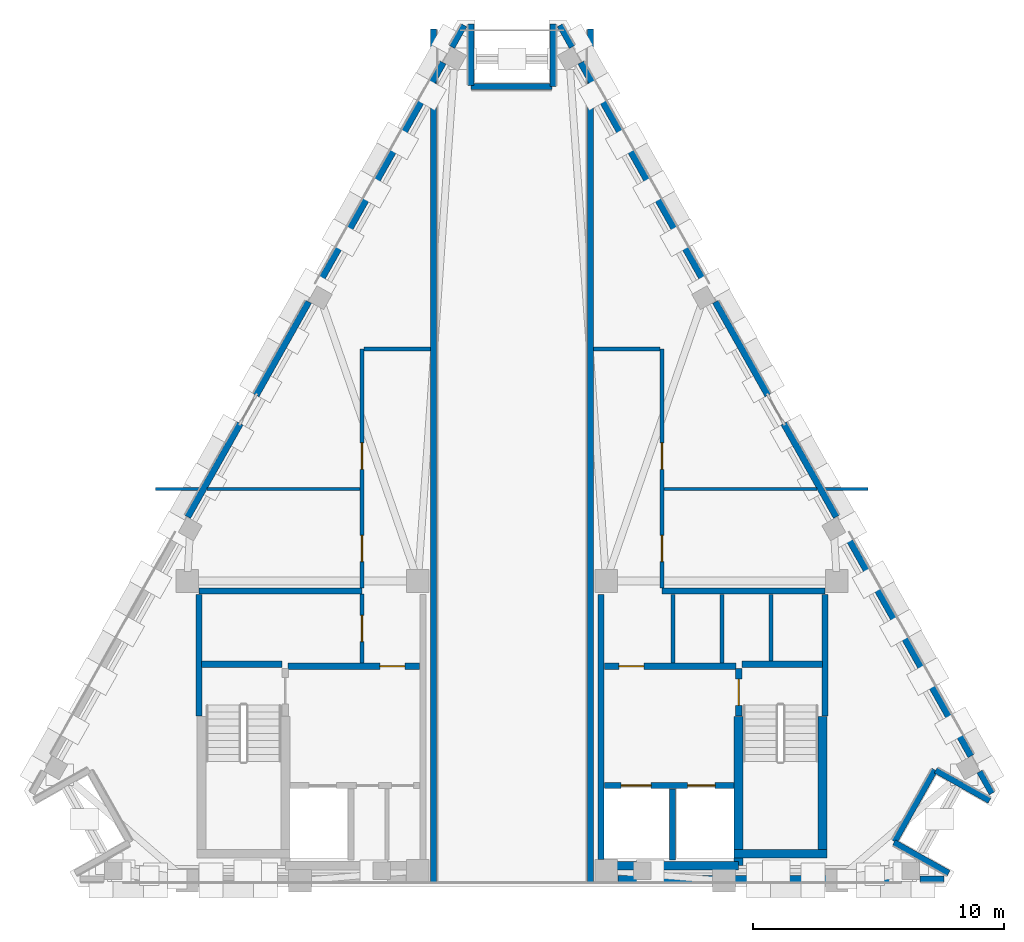
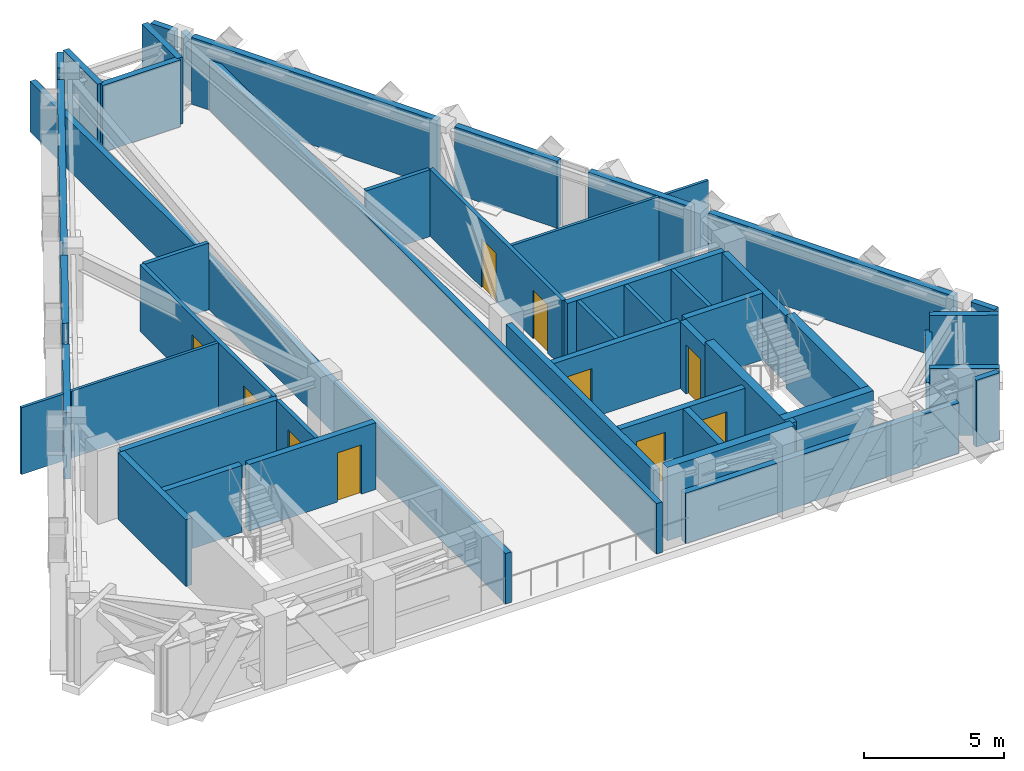
# One storey, part 4 of 7: 48 walls, 10 doors, 10 openings.
"""IFC4 building model written with IfcOpenShell, lengths in metres."""

from ifc_helpers import new_model, si_unit, direction, frame, frame_2d, origin, place, context, subcontext, project, spatial, rectangle, extrude, material, layer, layer_set, type_object, element, fill, save


model = new_model("IFC4")

# Units and contexts
model_context = context("Model", 3, precision=1e-05, world=origin(), true_north=direction((0.0, 1.0)))
body_context = subcontext(model_context, "Body", "Model", "MODEL_VIEW")
ifc_project = project(units=[si_unit("LENGTHUNIT", "METRE"), si_unit("AREAUNIT", "SQUARE_METRE"), si_unit("VOLUMEUNIT", "CUBIC_METRE"), si_unit("PLANEANGLEUNIT", "RADIAN"), si_unit("MASSUNIT", "GRAM", prefix="KILO")], contexts=[model_context])

# Site, building, storey
site_placement = place(None, origin())
site = spatial("IfcSite", under=ifc_project, at=site_placement, CompositionType="ELEMENT")
building_placement = place(site_placement, origin())
building = spatial("IfcBuilding", under=site, at=building_placement, Name="Quenlor Broadcast Tower", CompositionType="ELEMENT")
storey_placement = place(building_placement, frame((0.0, 0.0, 270.89990234375)))
storey = spatial("IfcBuildingStorey", under=building, at=storey_placement, Name="L75", CompositionType="ELEMENT", Elevation=270.89990234375)

# Walls
ifc_material_1 = material(Name="Concrete C50/60", Category="concrete")
ifc_layer_1 = layer(ifc_material_1, 0.35009765625)
ifc_layer_set_1 = layer_set([ifc_layer_1], Name="Core Concrete C50/60 Shear Wall 350")
wall_type_1 = type_object("IfcWallType", Name="Core Concrete C50/60 Shear Wall 350", PredefinedType="SHEAR", material=ifc_layer_set_1)
wall_1_placement = place(storey_placement, frame((3.75, -16.14990234375, 0.0), z_axis=(0.0, 0.0, 1.0), x_axis=(1.0, 0.0, 0.0)))
element("IfcWall", 1, at=wall_1_placement, inside=storey, type_object=wall_type_1, Name="L75 Core Shear Wall WS-E1", PredefinedType="SHEAR", context=body_context, shape_type="SweptSolid", body=[
    extrude(rectangle(XDim=5.27490234375, YDim=0.35009765625, at=frame_2d((2.637451171875, 0.0))), origin(), (0.0, 0.0, 1.0), 3.2001953125),
])
wall_2_placement = place(storey_placement, frame((8.85009765625, -15.675048828125, 0.0), z_axis=(0.0, 0.0, 1.0), x_axis=(1.0, 0.0, 0.0)))
element("IfcWall", 2, at=wall_2_placement, inside=storey, type_object=wall_type_1, Name="L75 Core Shear Wall WS-E2", PredefinedType="SHEAR", context=body_context, shape_type="SweptSolid", body=[
    extrude(rectangle(XDim=3.699951171875, YDim=0.35009765625, at=frame_2d((1.85009765625, 0.0))), origin(), (0.0, 0.0, 1.0), 3.2001953125),
])
wall_3_placement = place(storey_placement, frame((12.375, -15.675048828125, 0.0), z_axis=(0.0, 0.0, 1.0), x_axis=(0.0, 1.0, 0.0)))
element("IfcWall", 3, at=wall_3_placement, inside=storey, type_object=wall_type_1, Name="L75 Core Shear Wall WF-E", PredefinedType="SHEAR", context=body_context, shape_type="SweptSolid", body=[
    extrude(rectangle(XDim=5.47509765625, YDim=0.35009765625, at=frame_2d((2.737548828125, 0.0))), origin(), (0.0, 0.0, 1.0), 3.2001953125),
])
wall_4_placement = place(storey_placement, frame((9.02490234375, -16.14990234375, 0.0), z_axis=(0.0, 0.0, 1.0), x_axis=(0.0, 1.0, 0.0)))
element("IfcWall", 4, at=wall_4_placement, inside=storey, type_object=wall_type_1, Name="L75 Core Shear Wall WI-E", PredefinedType="SHEAR", context=body_context, shape_type="SweptSolid", body=[
    extrude(rectangle(XDim=5.949951171875, YDim=0.35009765625, at=frame_2d((2.97509765625, 0.0))), origin(), (0.0, 0.0, 1.0), 3.2001953125),
])

# Wall, opening, door
ifc_material_2 = material(Name="Concrete C40/50", Category="concrete")
ifc_layer_2 = layer(ifc_material_2, 0.25)
ifc_layer_set_2 = layer_set([ifc_layer_2], Name="Fire Rated Concrete C40/50 Core Wall 250")
wall_type_2 = type_object("IfcWallType", Name="Fire Rated Concrete C40/50 Core Wall 250", PredefinedType="PARTITIONING", material=ifc_layer_set_2)
wall_5_placement = place(storey_placement, frame((9.0400390625, -10.179931640625, 0.0), z_axis=(0.0, 0.0, 1.0), x_axis=(0.0, 1.0, 0.0)))
wall_5 = element("IfcWall", 5, at=wall_5_placement, inside=storey, type_object=wall_type_2, Name="L75 Interior Wall CW-ST2-DR", PredefinedType="PARTITIONING", context=body_context, shape_type="SweptSolid", body=[
    extrude(rectangle(XDim=1.89990234375, YDim=0.25, at=frame_2d((0.949951171875, 0.0))), origin(), (0.0, 0.0, 1.0), 2.920166015625),
])
opening_1_placement = place(wall_5_placement, frame((0.419921875, 0.0, 0.0)))
opening_1 = element("IfcOpeningElement", 6, at=opening_1_placement, cuts=wall_5, Name="Opening FD-1", PredefinedType="OPENING", context=body_context, shape_type="SweptSolid", body=[
    extrude(rectangle(XDim=1.050048828125, YDim=2.14990234375, at=frame_2d((0.52490234375, 1.074951171875))), frame((0.0, 0.135009765625, 0.0), z_axis=(0.0, -1.0, 0.0), x_axis=(1.0, 0.0, 0.0)), (0.0, 0.0, 1.0), 0.27001953125),
])
ifc_material_3 = material(Name="Fire Rated Steel Door Leaf", Category="steel")
door_type_1 = type_object("IfcDoorType", Name="Fire Isolated Stair Door 1050x2150", OperationType="NOTDEFINED", PredefinedType="DOOR", material=ifc_material_3)
door_1_placement = place(opening_1_placement, origin())
door_1 = element("IfcDoor", 7, at=door_1_placement, inside=storey, type_object=door_type_1, Name="L75 Door DR-ST2", OperationType="SINGLE_SWING_RIGHT", OverallHeight=2.14990234375, OverallWidth=1.050048828125, PredefinedType="DOOR", context=body_context, shape_type="SweptSolid", body=[
    extrude(rectangle(XDim=1.050048828125, YDim=2.14990234375, at=frame_2d((0.52490234375, 1.074951171875))), frame((0.0, 0.02490234375, 0.0), z_axis=(0.0, -1.0, 0.0), x_axis=(1.0, 0.0, 0.0)), (0.0, 0.0, 1.0), 0.050048828125),
])
fill(opening_1, door_1)

# Walls
for number, where, z_axis, x_axis, name in (
    (8, (-12.3798828125, -8.1201171875, 0.0), (0.0, 0.0, 1.0), (1.0, 0.0, 0.0), "L75 Interior Wall CW-ST1-N"),
    (9, (9.159912109375, -8.1201171875, 0.0), (0.0, 0.0, 1.0), (1.0, 0.0, 0.0), "L75 Interior Wall CW-ST2-N"),
):
    element("IfcWall", number, at=place(storey_placement, frame(where, z_axis=z_axis, x_axis=x_axis)), inside=storey, type_object=wall_type_2, Name=name, PredefinedType="PARTITIONING", context=body_context, shape_type="SweptSolid", body=[
        extrude(rectangle(XDim=3.219970703125, YDim=0.25, at=frame_2d((1.60986328125, 0.0))), origin(), (0.0, 0.0, 1.0), 2.920166015625),
    ])
for number, where, z_axis, x_axis, name in (
    (10, (-12.47998046875, -10.179931640625, 0.0), (0.0, 0.0, 1.0), (0.0, 1.0, 0.0), "L75 Interior Wall CW-ST1-W2"),
    (11, (12.47998046875, -10.179931640625, 0.0), (0.0, 0.0, 1.0), (0.0, 1.0, 0.0), "L75 Interior Wall CW-ST2-E2"),
):
    element("IfcWall", number, at=place(storey_placement, frame(where, z_axis=z_axis, x_axis=x_axis)), inside=storey, type_object=wall_type_2, Name=name, PredefinedType="PARTITIONING", context=body_context, shape_type="SweptSolid", body=[
        extrude(rectangle(XDim=4.83984375, YDim=0.25, at=frame_2d((2.419921875, 0.0))), origin(), (0.0, 0.0, 1.0), 2.920166015625),
    ])

# Wall, openings, doors
wall_6_placement = place(storey_placement, frame((3.679931640625, -12.949951171875, 0.0), z_axis=(0.0, 0.0, 1.0), x_axis=(1.0, 0.0, 0.0)))
wall_6 = element("IfcWall", 12, at=wall_6_placement, inside=storey, type_object=wall_type_2, Name="L75 Interior Wall CW-FFE-S", PredefinedType="PARTITIONING", context=body_context, shape_type="SweptSolid", body=[
    extrude(rectangle(XDim=5.16796875, YDim=0.25, at=frame_2d((2.583984375, 0.0))), origin(), (0.0, 0.0, 1.0), 2.920166015625),
])
opening_2_placement = place(wall_6_placement, frame((3.320068359375, 0.0, 0.0)))
opening_2 = element("IfcOpeningElement", 13, at=opening_2_placement, cuts=wall_6, Name="Opening LD-FFL-2", PredefinedType="OPENING", context=body_context, shape_type="SweptSolid", body=[
    extrude(rectangle(XDim=1.10009765625, YDim=2.14990234375, at=frame_2d((0.550048828125, 1.074951171875))), frame((0.0, 0.135009765625, 0.0), z_axis=(0.0, -1.0, 0.0), x_axis=(1.0, 0.0, 0.0)), (0.0, 0.0, 1.0), 0.27001953125),
])
opening_3_placement = place(wall_6_placement, frame((0.669921875, 0.0, 0.0)))
opening_3 = element("IfcOpeningElement", 14, at=opening_3_placement, cuts=wall_6, Name="Opening LD-SVL-1", PredefinedType="OPENING", context=body_context, shape_type="SweptSolid", body=[
    extrude(rectangle(XDim=1.199951171875, YDim=2.14990234375, at=frame_2d((0.60009765625, 1.074951171875))), frame((0.0, 0.135009765625, 0.0), z_axis=(0.0, -1.0, 0.0), x_axis=(1.0, 0.0, 0.0)), (0.0, 0.0, 1.0), 0.27001953125),
])
ifc_material_4 = material(Name="Brushed Stainless Steel", Category="steel")
door_type_2 = type_object("IfcDoorType", Name="Emergency Lift Sliding Landing Door 1100x2150", OperationType="NOTDEFINED", PredefinedType="DOOR", material=ifc_material_4)
door_2_placement = place(opening_2_placement, origin())
door_2 = element("IfcDoor", 15, at=door_2_placement, inside=storey, type_object=door_type_2, Name="L75 Door LD-FFL-2", OperationType="SLIDING_TO_RIGHT", OverallHeight=2.14990234375, OverallWidth=1.10009765625, PredefinedType="DOOR", context=body_context, shape_type="SweptSolid", body=[
    extrude(rectangle(XDim=1.10009765625, YDim=2.14990234375, at=frame_2d((0.550048828125, 1.074951171875))), frame((0.0, 0.02490234375, 0.0), z_axis=(0.0, -1.0, 0.0), x_axis=(1.0, 0.0, 0.0)), (0.0, 0.0, 1.0), 0.050048828125),
])
fill(opening_2, door_2)
ifc_material_5 = material(Name="Brushed Stainless Steel", Category="steel")
door_type_3 = type_object("IfcDoorType", Name="Goods Lift Sliding Landing Door 1200x2150", OperationType="NOTDEFINED", PredefinedType="DOOR", material=ifc_material_5)
door_3_placement = place(opening_3_placement, origin())
door_3 = element("IfcDoor", 16, at=door_3_placement, inside=storey, type_object=door_type_3, Name="L75 Door LD-SVL-1", OperationType="SLIDING_TO_LEFT", OverallHeight=2.14990234375, OverallWidth=1.199951171875, PredefinedType="DOOR", context=body_context, shape_type="SweptSolid", body=[
    extrude(rectangle(XDim=1.199951171875, YDim=2.14990234375, at=frame_2d((0.60009765625, 1.074951171875))), frame((0.0, 0.02490234375, 0.0), z_axis=(0.0, -1.0, 0.0), x_axis=(1.0, 0.0, 0.0)), (0.0, 0.0, 1.0), 0.050048828125),
])
fill(opening_3, door_3)

# Wall
wall_7_placement = place(storey_placement, frame((6.39990234375, -15.919921875, 0.0), z_axis=(0.0, 0.0, 1.0), x_axis=(0.0, 1.0, 0.0)))
element("IfcWall", 17, at=wall_7_placement, inside=storey, type_object=wall_type_2, Name="L75 Interior Wall CW-SV1-E", PredefinedType="PARTITIONING", context=body_context, shape_type="SweptSolid", body=[
    extrude(rectangle(XDim=2.829833984375, YDim=0.25, at=frame_2d((1.4150390625, 0.0))), origin(), (0.0, 0.0, 1.0), 2.920166015625),
])

# Wall, opening, door
wall_8_placement = place(storey_placement, frame((-8.919921875, -8.199951171875, 0.0), z_axis=(0.0, 0.0, 1.0), x_axis=(1.0, 0.0, 0.0)))
wall_8 = element("IfcWall", 18, at=wall_8_placement, inside=storey, type_object=wall_type_2, Name="L75 Interior Wall CW-FFW-N", PredefinedType="PARTITIONING", context=body_context, shape_type="SweptSolid", body=[
    extrude(rectangle(XDim=5.239990234375, YDim=0.25, at=frame_2d((2.6201171875, 0.0))), origin(), (0.0, 0.0, 1.0), 2.920166015625),
])
opening_4_placement = place(wall_8_placement, frame((3.64990234375, 0.0, 0.0)))
opening_4 = element("IfcOpeningElement", 19, at=opening_4_placement, cuts=wall_8, Name="Opening FD-2", PredefinedType="OPENING", context=body_context, shape_type="SweptSolid", body=[
    extrude(rectangle(XDim=1.0, YDim=2.14990234375, at=frame_2d((0.5, 1.074951171875))), frame((0.0, 0.135009765625, 0.0), z_axis=(0.0, -1.0, 0.0), x_axis=(1.0, 0.0, 0.0)), (0.0, 0.0, 1.0), 0.27001953125),
])
ifc_material_6 = material(Name="Fire Rated Glazed Steel Door", Category="steel")
door_type_4 = type_object("IfcDoorType", Name="Firefighting Lobby Smoke Door 1000x2150", OperationType="NOTDEFINED", PredefinedType="DOOR", material=ifc_material_6)
door_4_placement = place(opening_4_placement, origin())
door_4 = element("IfcDoor", 20, at=door_4_placement, inside=storey, type_object=door_type_4, Name="L75 Door DR-FFLW", OperationType="SINGLE_SWING_LEFT", OverallHeight=2.14990234375, OverallWidth=1.0, PredefinedType="DOOR", context=body_context, shape_type="SweptSolid", body=[
    extrude(rectangle(XDim=1.0, YDim=2.14990234375, at=frame_2d((0.5, 1.074951171875))), frame((0.0, 0.02490234375, 0.0), z_axis=(0.0, -1.0, 0.0), x_axis=(1.0, 0.0, 0.0)), (0.0, 0.0, 1.0), 0.050048828125),
])
fill(opening_4, door_4)

wall_9_placement = place(storey_placement, frame((3.679931640625, -8.199951171875, 0.0), z_axis=(0.0, 0.0, 1.0), x_axis=(1.0, 0.0, 0.0)))
wall_9 = element("IfcWall", 21, at=wall_9_placement, inside=storey, type_object=wall_type_2, Name="L75 Interior Wall CW-FFE-N", PredefinedType="PARTITIONING", context=body_context, shape_type="SweptSolid", body=[
    extrude(rectangle(XDim=5.239990234375, YDim=0.25, at=frame_2d((2.6201171875, 0.0))), origin(), (0.0, 0.0, 1.0), 2.920166015625),
])
opening_5_placement = place(wall_9_placement, frame((0.580078125, 0.0, 0.0)))
opening_5 = element("IfcOpeningElement", 22, at=opening_5_placement, cuts=wall_9, Name="Opening FD-2", PredefinedType="OPENING", context=body_context, shape_type="SweptSolid", body=[
    extrude(rectangle(XDim=1.0, YDim=2.14990234375, at=frame_2d((0.5, 1.074951171875))), frame((0.0, 0.135009765625, 0.0), z_axis=(0.0, -1.0, 0.0), x_axis=(1.0, 0.0, 0.0)), (0.0, 0.0, 1.0), 0.27001953125),
])
door_5_placement = place(opening_5_placement, origin())
door_5 = element("IfcDoor", 23, at=door_5_placement, inside=storey, type_object=door_type_4, Name="L75 Door DR-FFLE", OperationType="SINGLE_SWING_RIGHT", OverallHeight=2.14990234375, OverallWidth=1.0, PredefinedType="DOOR", context=body_context, shape_type="SweptSolid", body=[
    extrude(rectangle(XDim=1.0, YDim=2.14990234375, at=frame_2d((0.5, 1.074951171875))), frame((0.0, 0.02490234375, 0.0), z_axis=(0.0, -1.0, 0.0), x_axis=(1.0, 0.0, 0.0)), (0.0, 0.0, 1.0), 0.050048828125),
])
fill(opening_5, door_5)

# Walls
wall_10_placement = place(storey_placement, frame((3.550048828125, -15.89794921875, 0.0), z_axis=(0.0, 0.0, 1.0), x_axis=(0.0, 1.0, 0.0)))
element("IfcWall", 24, at=wall_10_placement, inside=storey, type_object=wall_type_2, Name="L75 Interior Wall CW-FFE-W", PredefinedType="PARTITIONING", context=body_context, shape_type="SweptSolid", body=[
    extrude(rectangle(XDim=10.557861328125, YDim=0.25, at=frame_2d((5.27880859375, 0.0))), origin(), (0.0, 0.0, 1.0), 2.920166015625),
])
for number, where, z_axis, x_axis, name in (
    (25, (-12.47998046875, -5.199951171875, 0.0), (0.0, 0.0, 1.0), (1.0, 0.0, 0.0), "L75 Interior Wall CW-N-W"),
    (26, (5.97998046875, -5.199951171875, 0.0), (0.0, 0.0, 1.0), (1.0, 0.0, 0.0), "L75 Interior Wall CW-N-E"),
):
    element("IfcWall", number, at=place(storey_placement, frame(where, z_axis=z_axis, x_axis=x_axis)), inside=storey, type_object=wall_type_2, Name=name, PredefinedType="PARTITIONING", context=body_context, shape_type="SweptSolid", body=[
        extrude(rectangle(XDim=6.5, YDim=0.25, at=frame_2d((3.25, 0.0))), origin(), (0.0, 0.0, 1.0), 2.920166015625),
    ])

# Wall, opening, door
ifc_material_7 = material(Name="Gypsum Fireboard Partition", Category="other")
ifc_layer_3 = layer(ifc_material_7, 0.159912109375)
ifc_layer_set_3 = layer_set([ifc_layer_3], Name="Fire Rated Shaft and Corridor Partition 160")
wall_type_3 = type_object("IfcWallType", Name="Fire Rated Shaft and Corridor Partition 160", PredefinedType="PARTITIONING", material=ifc_layer_set_3)
wall_11_placement = place(storey_placement, frame((-5.97998046875, -8.072998046875, 0.0), z_axis=(0.0, 0.0, 1.0), x_axis=(0.0, 1.0, 0.0)))
wall_11 = element("IfcWall", 27, at=wall_11_placement, inside=storey, type_object=wall_type_3, Name="L75 Interior Wall CW-CRNEQW-E", PredefinedType="PARTITIONING", context=body_context, shape_type="SweptSolid", body=[
    extrude(rectangle(XDim=2.74609375, YDim=0.159912109375, at=frame_2d((1.373046875, 0.0))), origin(), (0.0, 0.0, 1.0), 2.920166015625),
])
opening_6_placement = place(wall_11_placement, frame((0.85302734375, 0.0, 0.0)))
opening_6 = element("IfcOpeningElement", 28, at=opening_6_placement, cuts=wall_11, Name="Opening FD-3", PredefinedType="OPENING", context=body_context, shape_type="SweptSolid", body=[
    extrude(rectangle(XDim=1.050048828125, YDim=2.1201171875, at=frame_2d((0.52490234375, 1.06005859375))), frame((0.0, 0.08984375, 0.0), z_axis=(0.0, -1.0, 0.0), x_axis=(1.0, 0.0, 0.0)), (0.0, 0.0, 1.0), 0.179931640625),
])
ifc_material_8 = material(Name="Galvanised Fire Steel Leaf", Category="steel")
door_type_5 = type_object("IfcDoorType", Name="Plant Room Fire Rated Door 1050x2120", OperationType="NOTDEFINED", PredefinedType="DOOR", material=ifc_material_8)
door_6_placement = place(opening_6_placement, origin())
door_6 = element("IfcDoor", 29, at=door_6_placement, inside=storey, type_object=door_type_5, Name="L75 Door DR-CRNEQW", OperationType="SINGLE_SWING_RIGHT", OverallHeight=2.1201171875, OverallWidth=1.050048828125, PredefinedType="DOOR", context=body_context, shape_type="SweptSolid", body=[
    extrude(rectangle(XDim=1.050048828125, YDim=2.1201171875, at=frame_2d((0.52490234375, 1.06005859375))), frame((0.0, 0.02490234375, 0.0), z_axis=(0.0, -1.0, 0.0), x_axis=(1.0, 0.0, 0.0)), (0.0, 0.0, 1.0), 0.050048828125),
])
fill(opening_6, door_6)

# Walls
for number, where, z_axis, x_axis, name in (
    (30, (6.425048828125, -8.072998046875, 0.0), (0.0, 0.0, 1.0), (0.0, 1.0, 0.0), "L75 Interior Wall CW-PLH-D1"),
    (31, (8.375, -8.072998046875, 0.0), (0.0, 0.0, 1.0), (0.0, 1.0, 0.0), "L75 Interior Wall CW-PLH-D2"),
):
    element("IfcWall", number, at=place(storey_placement, frame(where, z_axis=z_axis, x_axis=x_axis)), inside=storey, type_object=wall_type_3, Name=name, PredefinedType="PARTITIONING", context=body_context, shape_type="SweptSolid", body=[
        extrude(rectangle(XDim=2.73291015625, YDim=0.159912109375, at=frame_2d((1.366455078125, 0.0))), origin(), (0.0, 0.0, 1.0), 2.920166015625),
    ])
wall_12_placement = place(storey_placement, frame((10.324951171875, -7.992919921875, 0.0), z_axis=(0.0, 0.0, 1.0), x_axis=(0.0, 1.0, 0.0)))
element("IfcWall", 32, at=wall_12_placement, inside=storey, type_object=wall_type_3, Name="L75 Interior Wall CW-PLH-D3", PredefinedType="PARTITIONING", context=body_context, shape_type="SweptSolid", body=[
    extrude(rectangle(XDim=2.65283203125, YDim=0.159912109375, at=frame_2d((1.326416015625, 0.0))), origin(), (0.0, 0.0, 1.0), 2.920166015625),
])

# Wall, openings, doors
wall_13_placement = place(storey_placement, frame((-5.97998046875, -5.072998046875, 0.0), z_axis=(0.0, 0.0, 1.0), x_axis=(0.0, 1.0, 0.0)))
wall_13 = element("IfcWall", 33, at=wall_13_placement, inside=storey, type_object=wall_type_3, Name="L75 Interior Wall PW-WP-WCW", PredefinedType="PARTITIONING", context=body_context, shape_type="SweptSolid", body=[
    extrude(rectangle(XDim=9.52294921875, YDim=0.159912109375, at=frame_2d((4.761474609375, 0.0))), origin(), (0.0, 0.0, 1.0), 2.920166015625),
])
opening_7_placement = place(wall_13_placement, frame((1.04296875, 0.0, 0.0)))
opening_7 = element("IfcOpeningElement", 34, at=opening_7_placement, cuts=wall_13, Name="Opening FD-3", PredefinedType="OPENING", context=body_context, shape_type="SweptSolid", body=[
    extrude(rectangle(XDim=1.050048828125, YDim=2.1201171875, at=frame_2d((0.52490234375, 1.06005859375))), frame((0.0, 0.08984375, 0.0), z_axis=(0.0, -1.0, 0.0), x_axis=(1.0, 0.0, 0.0)), (0.0, 0.0, 1.0), 0.179931640625),
])
opening_8_placement = place(wall_13_placement, frame((4.722900390625, 0.0, 0.0)))
opening_8 = element("IfcOpeningElement", 35, at=opening_8_placement, cuts=wall_13, Name="Opening FD-3", PredefinedType="OPENING", context=body_context, shape_type="SweptSolid", body=[
    extrude(rectangle(XDim=1.050048828125, YDim=2.1201171875, at=frame_2d((0.52490234375, 1.06005859375))), frame((0.0, 0.08984375, 0.0), z_axis=(0.0, -1.0, 0.0), x_axis=(1.0, 0.0, 0.0)), (0.0, 0.0, 1.0), 0.179931640625),
])
door_7_placement = place(opening_7_placement, origin())
door_7 = element("IfcDoor", 36, at=door_7_placement, inside=storey, type_object=door_type_5, Name="L75 Door DR-WP1", OperationType="SINGLE_SWING_LEFT", OverallHeight=2.1201171875, OverallWidth=1.050048828125, PredefinedType="DOOR", context=body_context, shape_type="SweptSolid", body=[
    extrude(rectangle(XDim=1.050048828125, YDim=2.1201171875, at=frame_2d((0.52490234375, 1.06005859375))), frame((0.0, 0.02490234375, 0.0), z_axis=(0.0, -1.0, 0.0), x_axis=(1.0, 0.0, 0.0)), (0.0, 0.0, 1.0), 0.050048828125),
])
fill(opening_7, door_7)
door_8_placement = place(opening_8_placement, origin())
door_8 = element("IfcDoor", 37, at=door_8_placement, inside=storey, type_object=door_type_5, Name="L75 Door DR-WP3", OperationType="SINGLE_SWING_LEFT", OverallHeight=2.1201171875, OverallWidth=1.050048828125, PredefinedType="DOOR", context=body_context, shape_type="SweptSolid", body=[
    extrude(rectangle(XDim=1.050048828125, YDim=2.1201171875, at=frame_2d((0.52490234375, 1.06005859375))), frame((0.0, 0.02490234375, 0.0), z_axis=(0.0, -1.0, 0.0), x_axis=(1.0, 0.0, 0.0)), (0.0, 0.0, 1.0), 0.050048828125),
])
fill(opening_8, door_8)

# Wall
wall_14_placement = place(storey_placement, frame((-5.89794921875, 4.449951171875, 0.0), z_axis=(0.0, 0.0, 1.0), x_axis=(1.0, 0.0, 0.0)))
element("IfcWall", 38, at=wall_14_placement, inside=storey, type_object=wall_type_3, Name="L75 Interior Wall PW-WP-WCN", PredefinedType="PARTITIONING", context=body_context, shape_type="SweptSolid", body=[
    extrude(rectangle(XDim=2.64794921875, YDim=0.159912109375, at=frame_2d((1.323974609375, 0.0))), origin(), (0.0, 0.0, 1.0), 2.920166015625),
])

# Wall, openings, doors
wall_15_placement = place(storey_placement, frame((5.97998046875, -5.072998046875, 0.0), z_axis=(0.0, 0.0, 1.0), x_axis=(0.0, 1.0, 0.0)))
wall_15 = element("IfcWall", 39, at=wall_15_placement, inside=storey, type_object=wall_type_3, Name="L75 Interior Wall PW-WP-ECE", PredefinedType="PARTITIONING", context=body_context, shape_type="SweptSolid", body=[
    extrude(rectangle(XDim=9.52294921875, YDim=0.159912109375, at=frame_2d((4.761474609375, 0.0))), origin(), (0.0, 0.0, 1.0), 2.920166015625),
])
opening_9_placement = place(wall_15_placement, frame((1.04296875, 0.0, 0.0)))
opening_9 = element("IfcOpeningElement", 40, at=opening_9_placement, cuts=wall_15, Name="Opening FD-3", PredefinedType="OPENING", context=body_context, shape_type="SweptSolid", body=[
    extrude(rectangle(XDim=1.050048828125, YDim=2.1201171875, at=frame_2d((0.52490234375, 1.06005859375))), frame((0.0, 0.08984375, 0.0), z_axis=(0.0, -1.0, 0.0), x_axis=(1.0, 0.0, 0.0)), (0.0, 0.0, 1.0), 0.179931640625),
])
opening_10_placement = place(wall_15_placement, frame((4.722900390625, 0.0, 0.0)))
opening_10 = element("IfcOpeningElement", 41, at=opening_10_placement, cuts=wall_15, Name="Opening FD-3", PredefinedType="OPENING", context=body_context, shape_type="SweptSolid", body=[
    extrude(rectangle(XDim=1.050048828125, YDim=2.1201171875, at=frame_2d((0.52490234375, 1.06005859375))), frame((0.0, 0.08984375, 0.0), z_axis=(0.0, -1.0, 0.0), x_axis=(1.0, 0.0, 0.0)), (0.0, 0.0, 1.0), 0.179931640625),
])
door_9_placement = place(opening_9_placement, origin())
door_9 = element("IfcDoor", 42, at=door_9_placement, inside=storey, type_object=door_type_5, Name="L75 Door DR-WP2", OperationType="SINGLE_SWING_RIGHT", OverallHeight=2.1201171875, OverallWidth=1.050048828125, PredefinedType="DOOR", context=body_context, shape_type="SweptSolid", body=[
    extrude(rectangle(XDim=1.050048828125, YDim=2.1201171875, at=frame_2d((0.52490234375, 1.06005859375))), frame((0.0, 0.02490234375, 0.0), z_axis=(0.0, -1.0, 0.0), x_axis=(1.0, 0.0, 0.0)), (0.0, 0.0, 1.0), 0.050048828125),
])
fill(opening_9, door_9)
door_10_placement = place(opening_10_placement, origin())
door_10 = element("IfcDoor", 43, at=door_10_placement, inside=storey, type_object=door_type_5, Name="L75 Door DR-WP4", OperationType="SINGLE_SWING_RIGHT", OverallHeight=2.1201171875, OverallWidth=1.050048828125, PredefinedType="DOOR", context=body_context, shape_type="SweptSolid", body=[
    extrude(rectangle(XDim=1.050048828125, YDim=2.1201171875, at=frame_2d((0.52490234375, 1.06005859375))), frame((0.0, 0.02490234375, 0.0), z_axis=(0.0, -1.0, 0.0), x_axis=(1.0, 0.0, 0.0)), (0.0, 0.0, 1.0), 0.050048828125),
])
fill(opening_10, door_10)

# Walls
wall_16_placement = place(storey_placement, frame((3.25, 4.449951171875, 0.0), z_axis=(0.0, 0.0, 1.0), x_axis=(1.0, 0.0, 0.0)))
element("IfcWall", 44, at=wall_16_placement, inside=storey, type_object=wall_type_3, Name="L75 Interior Wall PW-WP-ECN", PredefinedType="PARTITIONING", context=body_context, shape_type="SweptSolid", body=[
    extrude(rectangle(XDim=2.64794921875, YDim=0.159912109375, at=frame_2d((1.323974609375, 0.0))), origin(), (0.0, 0.0, 1.0), 2.920166015625),
])
ifc_material_9 = material(Name="Gypsum Plasterboard Partition", Category="other")
ifc_layer_4 = layer(ifc_material_9, 0.1201171875)
ifc_layer_set_4 = layer_set([ifc_layer_4], Name="Standard Office Partition 120")
wall_type_4 = type_object("IfcWallType", Name="Standard Office Partition 120", PredefinedType="PARTITIONING", material=ifc_layer_set_4)
wall_17_placement = place(storey_placement, frame((-14.199951171875, -1.1298828125, 0.0), z_axis=(0.0, 0.0, 1.0), x_axis=(1.0, 0.0, 0.0)))
element("IfcWall", 45, at=wall_17_placement, inside=storey, type_object=wall_type_4, Name="L75 Interior Wall PW-WP-WH", PredefinedType="PARTITIONING", context=body_context, shape_type="SweptSolid", body=[
    extrude(rectangle(XDim=1.748291015625, YDim=0.1201171875, at=frame_2d((0.8740234375, 0.0))), origin(), (0.0, 0.0, 1.0), 2.920166015625),
])
for number, where, z_axis, x_axis, name in (
    (46, (-12.148681640625, -1.1298828125, 0.0), (0.0, 0.0, 1.0), (1.0, 0.0, 0.0), "L75 Interior Wall PW-WP-WHS2"),
    (47, (6.06201171875, -1.1298828125, 0.0), (0.0, 0.0, 1.0), (1.0, 0.0, 0.0), "L75 Interior Wall PW-WP-EH"),
):
    element("IfcWall", number, at=place(storey_placement, frame(where, z_axis=z_axis, x_axis=x_axis)), inside=storey, type_object=wall_type_4, Name=name, PredefinedType="PARTITIONING", context=body_context, shape_type="SweptSolid", body=[
        extrude(rectangle(XDim=6.086669921875, YDim=0.1201171875, at=frame_2d((3.04345703125, 0.0))), origin(), (0.0, 0.0, 1.0), 2.920166015625),
    ])
wall_18_placement = place(storey_placement, frame((12.45166015625, -1.1298828125, 0.0), z_axis=(0.0, 0.0, 1.0), x_axis=(1.0, 0.0, 0.0)))
element("IfcWall", 48, at=wall_18_placement, inside=storey, type_object=wall_type_4, Name="L75 Interior Wall PW-WP-EHS2", PredefinedType="PARTITIONING", context=body_context, shape_type="SweptSolid", body=[
    extrude(rectangle(XDim=1.748291015625, YDim=0.1201171875, at=frame_2d((0.8740234375, 0.0))), origin(), (0.0, 0.0, 1.0), 2.920166015625),
])
ifc_material_10 = material(Name="Precast concrete C40/50", Category="concrete")
ifc_layer_5 = layer(ifc_material_10, 0.239990234375)
ifc_layer_set_5 = layer_set([ifc_layer_5], Name="Terrace Threshold Precast Concrete C40/50 Wall 240")
wall_type_5 = type_object("IfcWallType", Name="Terrace Threshold Precast Concrete C40/50 Wall 240", PredefinedType="STANDARD", material=ifc_layer_set_5)
wall_19_placement = place(storey_placement, frame((17.219970703125, -16.675048828125, 0.0), z_axis=(0.0, 0.0, 1.0), x_axis=(-1.0, 0.0, 0.0)))
element("IfcWall", 49, at=wall_19_placement, inside=storey, type_object=wall_type_5, Name="L75 Exterior Wall L75-SHD-SS0", PredefinedType="STANDARD", context=body_context, shape_type="SweptSolid", body=[
    extrude(rectangle(XDim=0.96728515625, YDim=0.239990234375, at=frame_2d((0.483642578125, 0.0))), origin(), (0.0, 0.0, 1.0), 2.920166015625),
])
for number, where, z_axis, x_axis, name in (
    (50, (1.906005859375, 17.348388671875, 0.0), (0.0, 0.0, 1.0), (0.490261239633, -0.871575537125, 0.0), "L75 Exterior Wall L75-SHD-NES0"),
    (51, (18.639404296875, -12.39990234375, 0.0), (0.0, 0.0, 1.0), (0.490261239633, -0.871575537125, 0.0), "L75 Exterior Wall L75-SHD-NES1"),
    (52, (-2.393798828125, 16.481201171875, 0.0), (0.0, 0.0, 1.0), (0.490261239633, 0.871575537125, 0.0), "L75 Exterior Wall L75-SHD-NWS1"),
):
    element("IfcWall", number, at=place(storey_placement, frame(where, z_axis=z_axis, x_axis=x_axis)), inside=storey, type_object=wall_type_5, Name=name, PredefinedType="STANDARD", context=body_context, shape_type="SweptSolid", body=[
        extrude(rectangle(XDim=0.994873046875, YDim=0.239990234375, at=frame_2d((0.49755859375, 0.0))), origin(), (0.0, 0.0, 1.0), 2.920166015625),
    ])
wall_20_placement = place(storey_placement, frame((17.40771484375, -16.446533203125, 0.0), z_axis=(0.0, 0.0, 1.0), x_axis=(-0.871588577066, 0.490238056792, 0.0)))
element("IfcWall", 53, at=wall_20_placement, inside=storey, type_object=wall_type_5, Name="L75 Exterior Wall L75-CNR-01", PredefinedType="STANDARD", context=body_context, shape_type="SweptSolid", body=[
    extrude(rectangle(XDim=2.5, YDim=0.239990234375, at=frame_2d((1.25, 0.0))), origin(), (0.0, 0.0, 1.0), 2.920166015625),
])
wall_21_placement = place(storey_placement, frame((15.248291015625, -15.18603515625, 0.0), z_axis=(0.0, 0.0, 1.0), x_axis=(0.490293083368, 0.871557624258, 0.0)))
element("IfcWall", 54, at=wall_21_placement, inside=storey, type_object=wall_type_5, Name="L75 Exterior Wall L75-CNR-02", PredefinedType="STANDARD", context=body_context, shape_type="SweptSolid", body=[
    extrude(rectangle(XDim=3.276123046875, YDim=0.239990234375, at=frame_2d((1.63818359375, 0.0))), origin(), (0.0, 0.0, 1.0), 2.2041015625),
])
wall_22_placement = place(storey_placement, frame((16.889404296875, -12.350341796875, 0.0), z_axis=(0.0, 0.0, 1.0), x_axis=(0.87157023615, -0.490270663468, 0.0)))
element("IfcWall", 55, at=wall_22_placement, inside=storey, type_object=wall_type_5, Name="L75 Exterior Wall L75-CNR-03", PredefinedType="STANDARD", context=body_context, shape_type="SweptSolid", body=[
    extrude(rectangle(XDim=2.4599609375, YDim=0.239990234375, at=frame_2d((1.22998046875, 0.0))), origin(), (0.0, 0.0, 1.0), 2.920166015625),
])
wall_23_placement = place(storey_placement, frame((1.62890625, 17.39990234375, 0.0), z_axis=(0.0, 0.0, 1.0), x_axis=(0.0, -1.0, 0.0)))
element("IfcWall", 56, at=wall_23_placement, inside=storey, type_object=wall_type_5, Name="L75 Exterior Wall L75-CNR-07", PredefinedType="STANDARD", context=body_context, shape_type="SweptSolid", body=[
    extrude(rectangle(XDim=2.5, YDim=0.239990234375, at=frame_2d((1.25, 0.0))), origin(), (0.0, 0.0, 1.0), 2.920166015625),
])
wall_24_placement = place(storey_placement, frame((1.5888671875, 14.89990234375, 0.0), z_axis=(0.0, 0.0, 1.0), x_axis=(-1.0, 0.0, 0.0)))
element("IfcWall", 57, at=wall_24_placement, inside=storey, type_object=wall_type_5, Name="L75 Exterior Wall L75-CNR-08", PredefinedType="STANDARD", context=body_context, shape_type="SweptSolid", body=[
    extrude(rectangle(XDim=3.2177734375, YDim=0.239990234375, at=frame_2d((1.60888671875, 0.0))), origin(), (0.0, 0.0, 1.0), 2.920166015625),
])
wall_25_placement = place(storey_placement, frame((-1.62890625, 14.93994140625, 0.0), z_axis=(0.0, 0.0, 1.0), x_axis=(0.0, 1.0, 0.0)))
element("IfcWall", 58, at=wall_25_placement, inside=storey, type_object=wall_type_5, Name="L75 Exterior Wall L75-CNR-09", PredefinedType="STANDARD", context=body_context, shape_type="SweptSolid", body=[
    extrude(rectangle(XDim=2.4599609375, YDim=0.239990234375, at=frame_2d((1.22998046875, 0.0))), origin(), (0.0, 0.0, 1.0), 2.920166015625),
])
for number, where, z_axis, x_axis, name in (
    (59, (-3.1201171875, 17.199951171875, 0.0), (0.0, 0.0, 1.0), (0.0, -1.0, 0.0), "L75 Exterior Wall L75-WP-CHKW"),
    (60, (3.1201171875, -16.85009765625, 0.0), (0.0, 0.0, 1.0), (0.0, 1.0, 0.0), "L75 Exterior Wall L75-WP-CHKE"),
):
    element("IfcWall", number, at=place(storey_placement, frame(where, z_axis=z_axis, x_axis=x_axis)), inside=storey, type_object=wall_type_5, Name=name, PredefinedType="STANDARD", context=body_context, shape_type="SweptSolid", body=[
        extrude(rectangle(XDim=34.050048828125, YDim=0.239990234375, at=frame_2d((17.02490234375, 0.0))), origin(), (0.0, 0.0, 1.0), 2.2041015625),
    ])
ifc_material_11 = material(Name="Precast concrete C40/50", Category="concrete")
ifc_layer_6 = layer(ifc_material_11, 0.260009765625)
ifc_layer_set_6 = layer_set([ifc_layer_6], Name="Terracotta Precast Concrete C40/50 Upper Wall 260")
wall_type_6 = type_object("IfcWallType", Name="Terracotta Precast Concrete C40/50 Upper Wall 260", PredefinedType="STANDARD", material=ifc_layer_set_6)
wall_26_placement = place(storey_placement, frame((15.54248046875, -16.675048828125, 0.0), z_axis=(0.0, 0.0, 1.0), x_axis=(-1.0, 0.0, 0.0)))
element("IfcWall", 61, at=wall_26_placement, inside=storey, type_object=wall_type_6, Name="L75 Exterior Wall L75-EW-SA", PredefinedType="STANDARD", context=body_context, shape_type="SweptSolid", body=[
    extrude(rectangle(XDim=11.322509765625, YDim=0.260009765625, at=frame_2d((5.6611328125, 0.0))), origin(), (0.0, 0.0, 1.0), 2.2041015625),
])
wall_27_placement = place(storey_placement, frame((2.741943359375, 15.862548828125, 0.0), z_axis=(0.0, 0.0, 1.0), x_axis=(0.490260105081, -0.871576175309, 0.0)))
element("IfcWall", 62, at=wall_27_placement, inside=storey, type_object=wall_type_6, Name="L75 Exterior Wall L75-EW-NEA", PredefinedType="STANDARD", context=body_context, shape_type="SweptSolid", body=[
    extrude(rectangle(XDim=10.216552734375, YDim=0.260009765625, at=frame_2d((5.1083984375, 0.0))), origin(), (0.0, 0.0, 1.0), 2.920166015625),
])
wall_28_placement = place(storey_placement, frame((13.28271484375, -2.876708984375, 0.0), z_axis=(0.0, 0.0, 1.0), x_axis=(0.490270316201, -0.871570431492, 0.0)))
element("IfcWall", 63, at=wall_28_placement, inside=storey, type_object=wall_type_6, Name="L75 Exterior Wall L75-EW-NEC", PredefinedType="STANDARD", context=body_context, shape_type="SweptSolid", body=[
    extrude(rectangle(XDim=10.21630859375, YDim=0.260009765625, at=frame_2d((5.108154296875, 0.0))), origin(), (0.0, 0.0, 1.0), 2.920166015625),
])
for number, where, z_axis, x_axis, name in (
    (64, (8.106201171875, 6.326171875, 0.0), (0.0, 0.0, 1.0), (0.490239539942, -0.871587742845, 0.0), "L75 Exterior Wall L75-NE-SP1"),
    (65, (10.832275390625, 1.479736328125, 0.0), (0.0, 0.0, 1.0), (0.490239539942, -0.871587742845, 0.0), "L75 Exterior Wall L75-NE-SP2"),
):
    element("IfcWall", number, at=place(storey_placement, frame(where, z_axis=z_axis, x_axis=x_axis)), inside=storey, type_object=wall_type_6, Name=name, PredefinedType="STANDARD", context=body_context, shape_type="SweptSolid", body=[
        extrude(rectangle(XDim=4.2734375, YDim=0.260009765625, at=frame_2d((2.13671875, 0.0))), origin(), (0.0, 0.0, 1.0), 2.920166015625),
    ])
wall_29_placement = place(storey_placement, frame((-7.750732421875, 6.9580078125, 0.0), z_axis=(0.0, 0.0, 1.0), x_axis=(0.490260105081, 0.871576175309, 0.0)))
element("IfcWall", 66, at=wall_29_placement, inside=storey, type_object=wall_type_6, Name="L75 Exterior Wall L75-EW-NWC", PredefinedType="STANDARD", context=body_context, shape_type="SweptSolid", body=[
    extrude(rectangle(XDim=10.216552734375, YDim=0.260009765625, at=frame_2d((5.1083984375, 0.0))), origin(), (0.0, 0.0, 1.0), 2.920166015625),
])
for number, where, z_axis, x_axis, name in (
    (67, (-12.92724609375, -2.244873046875, 0.0), (0.0, 0.0, 1.0), (0.490239539942, 0.871587742845, 0.0), "L75 Exterior Wall L75-NW-SP1"),
    (68, (-10.201171875, 2.6015625, 0.0), (0.0, 0.0, 1.0), (0.490239539942, 0.871587742845, 0.0), "L75 Exterior Wall L75-NW-SP2"),
):
    element("IfcWall", number, at=place(storey_placement, frame(where, z_axis=z_axis, x_axis=x_axis)), inside=storey, type_object=wall_type_6, Name=name, PredefinedType="STANDARD", context=body_context, shape_type="SweptSolid", body=[
        extrude(rectangle(XDim=4.2734375, YDim=0.260009765625, at=frame_2d((2.13671875, 0.0))), origin(), (0.0, 0.0, 1.0), 2.920166015625),
    ])

save(model, "model.ifc")
